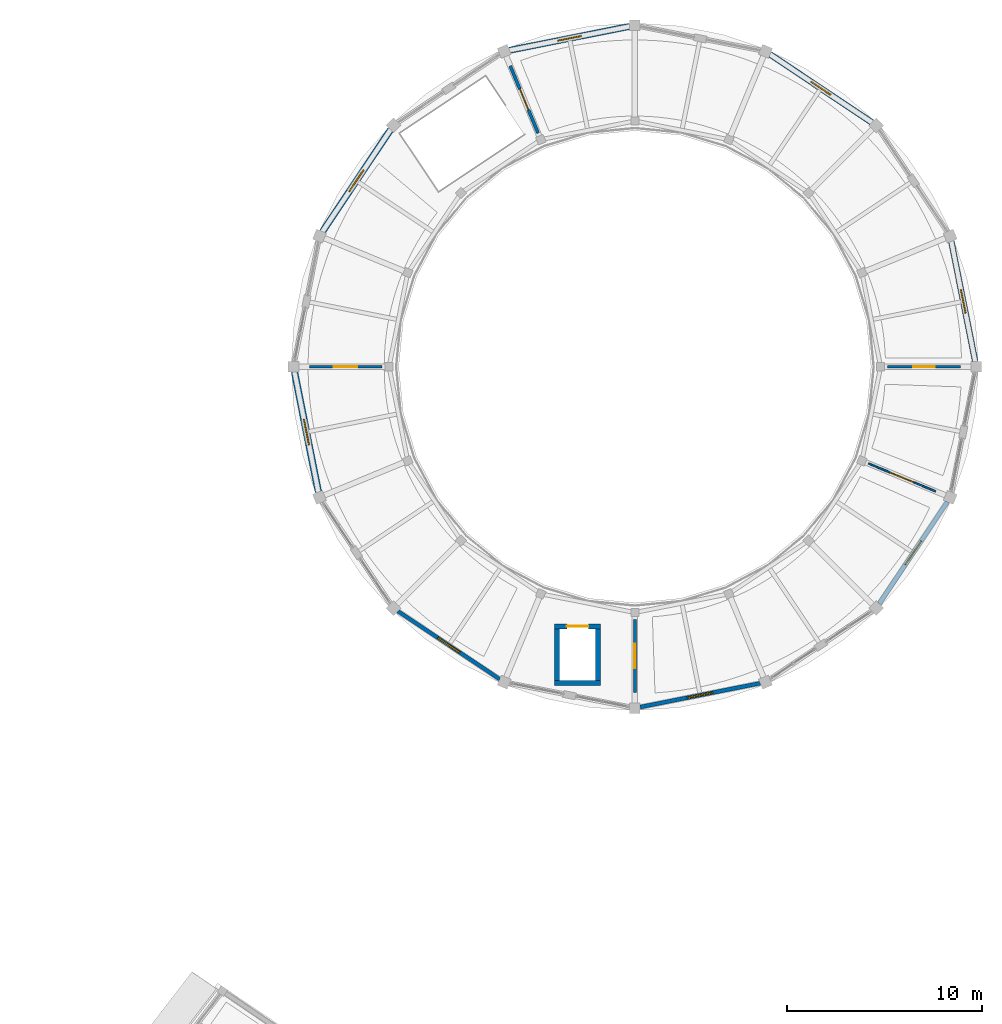
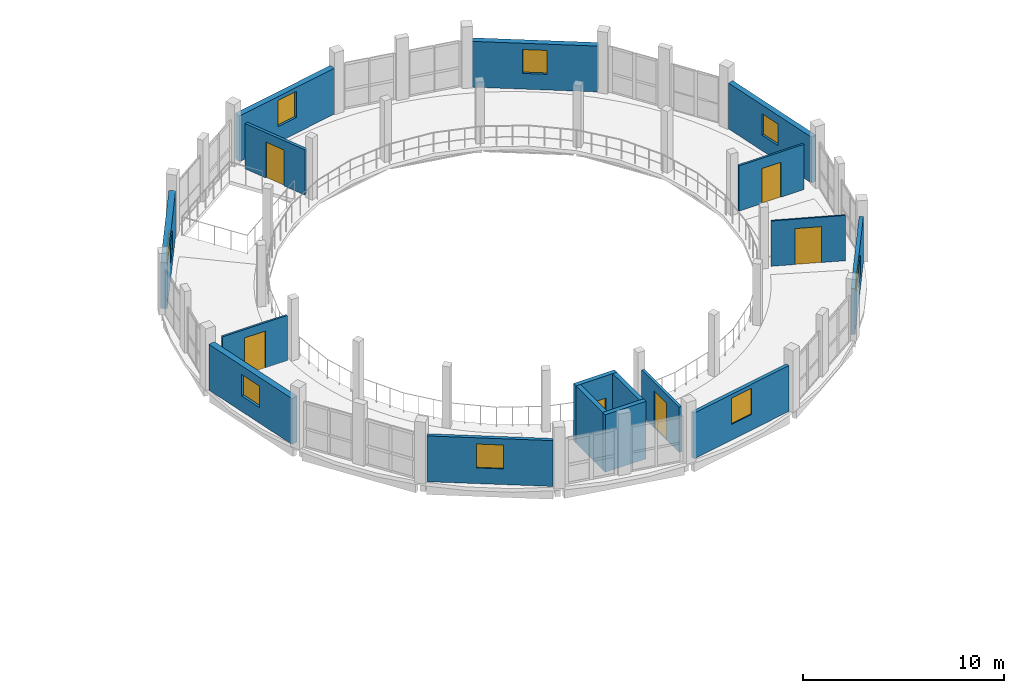
# One storey, part 63 of 77: 17 walls, 8 windows, 6 doors, 14 openings.
"""IFC4 building model written with IfcOpenShell, lengths in metres."""

from ifc_helpers import new_model, si_unit, direction, frame, frame_2d, origin, place, context, subcontext, project, spatial, rectangle, extrude, material, layer, layer_set, type_object, element, fill, save


model = new_model("IFC4")

# Units and contexts
model_context = context("Model", 3, precision=1e-05, world=origin(), true_north=direction((0.0, 1.0)))
body_context = subcontext(model_context, "Body", "Model", "MODEL_VIEW")
ifc_project = project(units=[si_unit("LENGTHUNIT", "METRE"), si_unit("AREAUNIT", "SQUARE_METRE"), si_unit("VOLUMEUNIT", "CUBIC_METRE"), si_unit("PLANEANGLEUNIT", "RADIAN"), si_unit("MASSUNIT", "GRAM", prefix="KILO")], contexts=[model_context])

# Site, building, storey
site_placement = place(None, origin())
site = spatial("IfcSite", under=ifc_project, at=site_placement, CompositionType="ELEMENT")
building_placement = place(site_placement, origin())
building = spatial("IfcBuilding", under=site, at=building_placement, Name="Caldaven Crescent School", CompositionType="ELEMENT")
storey_placement = place(building_placement, frame((0.0, 0.0, 4.419921875)))
storey = spatial("IfcBuildingStorey", under=building, at=storey_placement, Name="L01", CompositionType="ELEMENT", Elevation=4.419921875)

# Wall, opening, door
ifc_material_1 = material(Name="Concrete C35/45", Category="concrete")
ifc_layer_1 = layer(ifc_material_1, 0.300048828125)
ifc_layer_set_1 = layer_set([ifc_layer_1], Name="Concrete C35/45")
wall_type_1 = type_object("IfcWallType", Name="WAL-CW1", PredefinedType="SHEAR", material=ifc_layer_set_1)
wall_1_placement = place(storey_placement, frame((148.388916015625, 85.189208984375, 0.0), z_axis=(0.0, 0.0, 1.0), x_axis=(1.0, 0.0, 0.0)))
wall_1 = element("IfcWall", 1, at=wall_1_placement, inside=storey, type_object=wall_type_1, Name="CW-LF1-L01-N", PredefinedType="SHEAR", context=body_context, shape_type="SweptSolid", body=[
    extrude(rectangle(XDim=2.349853515625, YDim=0.25, at=frame_2d((1.1748046875, 0.0))), origin(), (0.0, 0.0, 1.0), 3.489990234375),
])
opening_1_placement = place(wall_1_placement, frame((0.625, 0.0, 0.0)))
opening_1 = element("IfcOpeningElement", 2, at=opening_1_placement, cuts=wall_1, Name="Opening LD-LF1-L01", PredefinedType="OPENING", context=body_context, shape_type="SweptSolid", body=[
    extrude(rectangle(XDim=1.10009765625, YDim=2.14990234375, at=frame_2d((0.550048828125, 1.074951171875))), frame((0.0, 0.135009765625, 0.0), z_axis=(0.0, -1.0, 0.0), x_axis=(1.0, 0.0, 0.0)), (0.0, 0.0, 1.0), 0.27001953125),
])
ifc_material_2 = material(Name="Brushed stainless-steel automatic telescopic landing door", Category="steel")
door_type_1 = type_object("IfcDoorType", Name="DOR-LD01", OperationType="DOUBLE_DOOR_SLIDING", PredefinedType="DOOR", material=ifc_material_2)
door_1_placement = place(opening_1_placement, origin())
door_1 = element("IfcDoor", 3, at=door_1_placement, inside=storey, type_object=door_type_1, Name="DOR-LD-LF1-L01", OperationType="DOUBLE_DOOR_SLIDING", OverallHeight=2.14990234375, OverallWidth=1.10009765625, PredefinedType="DOOR", context=body_context, shape_type="SweptSolid", body=[
    extrude(rectangle(XDim=1.10009765625, YDim=2.14990234375, at=frame_2d((0.550048828125, 1.074951171875))), frame((0.0, 0.02490234375, 0.0), z_axis=(0.0, -1.0, 0.0), x_axis=(1.0, 0.0, 0.0)), (0.0, 0.0, 1.0), 0.050048828125),
])
fill(opening_1, door_1)

# Walls
wall_2_placement = place(storey_placement, frame((148.388916015625, 82.2890625, 0.0), z_axis=(0.0, 0.0, 1.0), x_axis=(1.0, 0.0, 0.0)))
element("IfcWall", 4, at=wall_2_placement, inside=storey, type_object=wall_type_1, Name="CW-LF1-L01-S", PredefinedType="SHEAR", context=body_context, shape_type="SweptSolid", body=[
    extrude(rectangle(XDim=2.349853515625, YDim=0.25, at=frame_2d((1.1748046875, 0.0))), origin(), (0.0, 0.0, 1.0), 3.489990234375),
])
ifc_layer_2 = layer(ifc_material_1, 0.25)
ifc_layer_set_2 = layer_set([ifc_layer_2], Name="Concrete C35/45")
wall_type_2 = type_object("IfcWallType", Name="WAL-CW2", PredefinedType="SHEAR", material=ifc_layer_set_2)
for number, where, z_axis, x_axis, name in (
    (5, (148.513916015625, 82.4140625, 0.0), (0.0, 0.0, 1.0), (0.0, 1.0, 0.0), "CW-LF1-L01-W"),
    (6, (150.61376953125, 82.4140625, 0.0), (0.0, 0.0, 1.0), (0.0, 1.0, 0.0), "CW-LF1-L01-E"),
):
    element("IfcWall", number, at=place(storey_placement, frame(where, z_axis=z_axis, x_axis=x_axis)), inside=storey, type_object=wall_type_2, Name=name, PredefinedType="SHEAR", context=body_context, shape_type="SweptSolid", body=[
        extrude(rectangle(XDim=2.650146484375, YDim=0.25, at=frame_2d((1.3251953125, 0.0))), origin(), (0.0, 0.0, 1.0), 3.489990234375),
    ])

# Wall, opening, window
ifc_material_3 = material(Name="Precast concrete C35/45", Category="concrete")
ifc_layer_3 = layer(ifc_material_3, 0.19189453125)
ifc_layer_set_3 = layer_set([ifc_layer_3], Name="Precast concrete C35/45")
wall_type_3 = type_object("IfcWallType", Name="WAL-EW01", PredefinedType="STANDARD", material=ifc_layer_set_3)
wall_3_placement = place(storey_placement, frame((140.356689453125, 85.97119140625, 0.0), z_axis=(0.0, 0.0, 1.0), x_axis=(0.831468962917, -0.555571204893, 0.0)))
wall_3 = element("IfcWall", 7, at=wall_3_placement, inside=storey, type_object=wall_type_3, Name="EW-L01-014", PredefinedType="STANDARD", context=body_context, shape_type="SweptSolid", body=[
    extrude(rectangle(XDim=6.272216796875, YDim=0.19189453125, at=frame_2d((3.13623046875, 0.0))), origin(), (0.0, 0.0, 1.0), 2.780029296875),
])
opening_2_placement = place(wall_3_placement, frame((2.466064453125, 0.0, 0.949951171875)))
opening_2 = element("IfcOpeningElement", 8, at=opening_2_placement, cuts=wall_3, Name="Opening W11", PredefinedType="OPENING", context=body_context, shape_type="SweptSolid", body=[
    extrude(rectangle(XDim=1.340087890625, YDim=1.449951171875, at=frame_2d((0.669921875, 0.72509765625))), frame((0.0, 0.10595703125, 0.0), z_axis=(0.0, -1.0, 0.0), x_axis=(1.0, 0.0, 0.0)), (0.0, 0.0, 1.0), 0.2119140625),
])
ifc_material_4 = material(Name="Thermally broken anodised aluminium AA 6063-T6 and low-E double glazing", Category="aluminium")
window_type_1 = type_object("IfcWindowType", Name="WIN-W11", PartitioningType="SINGLE_PANEL", PredefinedType="WINDOW", material=ifc_material_4)
window_1_placement = place(opening_2_placement, origin())
window_1 = element("IfcWindow", 9, at=window_1_placement, inside=storey, type_object=window_type_1, Name="WIN-L01-010-1", OverallHeight=1.449951171875, OverallWidth=1.340087890625, PartitioningType="SINGLE_PANEL", PredefinedType="WINDOW", context=body_context, shape_type="SweptSolid", body=[
    extrude(rectangle(XDim=1.340087890625, YDim=1.449951171875, at=frame_2d((0.669921875, 0.72509765625))), frame((0.0, 0.030029296875, 0.0), z_axis=(0.0, -1.0, 0.0), x_axis=(1.0, 0.0, 0.0)), (0.0, 0.0, 1.0), 0.06005859375),
])
fill(opening_2, window_1)

ifc_layer_4 = layer(ifc_material_3, 0.2041015625)
ifc_layer_set_4 = layer_set([ifc_layer_4], Name="Precast concrete C35/45")
wall_type_4 = type_object("IfcWallType", Name="WAL-EW02", PredefinedType="STANDARD", material=ifc_layer_set_4)
wall_4_placement = place(storey_placement, frame((152.772705078125, 81.05419921875, 0.0), z_axis=(0.0, 0.0, 1.0), x_axis=(0.980785242574, 0.195090512195, 0.0)))
wall_4 = element("IfcWall", 10, at=wall_4_placement, inside=storey, type_object=wall_type_4, Name="EW-L01-015", PredefinedType="STANDARD", context=body_context, shape_type="SweptSolid", body=[
    extrude(rectangle(XDim=6.272216796875, YDim=0.2041015625, at=frame_2d((3.13623046875, 0.0))), origin(), (0.0, 0.0, 1.0), 2.780029296875),
])
opening_3_placement = place(wall_4_placement, frame((2.466064453125, 0.0, 0.949951171875)))
opening_3 = element("IfcOpeningElement", 11, at=opening_3_placement, cuts=wall_4, Name="Opening W12", PredefinedType="OPENING", context=body_context, shape_type="SweptSolid", body=[
    extrude(rectangle(XDim=1.340087890625, YDim=1.60009765625, at=frame_2d((0.669921875, 0.800048828125))), frame((0.0, 0.112060546875, 0.0), z_axis=(0.0, -1.0, 0.0), x_axis=(1.0, 0.0, 0.0)), (0.0, 0.0, 1.0), 0.22412109375),
])
window_type_2 = type_object("IfcWindowType", Name="WIN-W12", PartitioningType="SINGLE_PANEL", PredefinedType="WINDOW", material=ifc_material_4)
window_2_placement = place(opening_3_placement, origin())
window_2 = element("IfcWindow", 12, at=window_2_placement, inside=storey, type_object=window_type_2, Name="WIN-L01-011-1", OverallHeight=1.60009765625, OverallWidth=1.340087890625, PartitioningType="SINGLE_PANEL", PredefinedType="WINDOW", context=body_context, shape_type="SweptSolid", body=[
    extrude(rectangle(XDim=1.340087890625, YDim=1.60009765625, at=frame_2d((0.669921875, 0.800048828125))), frame((0.0, 0.030029296875, 0.0), z_axis=(0.0, -1.0, 0.0), x_axis=(1.0, 0.0, 0.0)), (0.0, 0.0, 1.0), 0.06005859375),
])
fill(opening_3, window_2)

ifc_layer_5 = layer(ifc_material_3, 0.216064453125)
ifc_layer_set_5 = layer_set([ifc_layer_5], Name="Precast concrete C35/45")
wall_type_5 = type_object("IfcWallType", Name="WAL-EW03", PredefinedType="STANDARD", material=ifc_layer_set_5)
wall_5_placement = place(storey_placement, frame((165.02880859375, 86.356689453125, 0.0), z_axis=(0.0, 0.0, 1.0), x_axis=(0.555571204893, 0.831468962917, 0.0)))
wall_5 = element("IfcWall", 13, at=wall_5_placement, inside=storey, type_object=wall_type_5, Name="EW-L01-016", PredefinedType="STANDARD", context=body_context, shape_type="SweptSolid", body=[
    extrude(rectangle(XDim=6.272216796875, YDim=0.216064453125, at=frame_2d((3.13623046875, 0.0))), origin(), (0.0, 0.0, 1.0), 2.780029296875),
])
opening_4_placement = place(wall_5_placement, frame((2.406005859375, 0.0, 0.949951171875)))
opening_4 = element("IfcOpeningElement", 14, at=opening_4_placement, cuts=wall_5, Name="Opening W13", PredefinedType="OPENING", context=body_context, shape_type="SweptSolid", body=[
    extrude(rectangle(XDim=1.4599609375, YDim=1.14990234375, at=frame_2d((0.72998046875, 0.574951171875))), frame((0.0, 0.117919921875, 0.0), z_axis=(0.0, -1.0, 0.0), x_axis=(1.0, 0.0, 0.0)), (0.0, 0.0, 1.0), 0.236083984375),
])
window_type_3 = type_object("IfcWindowType", Name="WIN-W13", PartitioningType="SINGLE_PANEL", PredefinedType="WINDOW", material=ifc_material_4)
window_3_placement = place(opening_4_placement, origin())
window_3 = element("IfcWindow", 15, at=window_3_placement, inside=storey, type_object=window_type_3, Name="WIN-L01-012-1", OverallHeight=1.14990234375, OverallWidth=1.4599609375, PartitioningType="SINGLE_PANEL", PredefinedType="WINDOW", context=body_context, shape_type="SweptSolid", body=[
    extrude(rectangle(XDim=1.4599609375, YDim=1.14990234375, at=frame_2d((0.72998046875, 0.574951171875))), frame((0.0, 0.030029296875, 0.0), z_axis=(0.0, -1.0, 0.0), x_axis=(1.0, 0.0, 0.0)), (0.0, 0.0, 1.0), 0.06005859375),
])
fill(opening_4, window_3)

ifc_layer_6 = layer(ifc_material_3, 0.300048828125)
ifc_layer_set_6 = layer_set([ifc_layer_6], Name="Precast concrete C35/45")
wall_type_6 = type_object("IfcWallType", Name="WAL-EW10", PredefinedType="STANDARD", material=ifc_layer_set_6)
wall_6_placement = place(storey_placement, frame((169.94580078125, 98.772705078125, 0.0), z_axis=(0.0, 0.0, 1.0), x_axis=(-0.195090512195, 0.980785242574, 0.0)))
wall_6 = element("IfcWall", 16, at=wall_6_placement, inside=storey, type_object=wall_type_6, Name="EW-L01-009", PredefinedType="STANDARD", context=body_context, shape_type="SweptSolid", body=[
    extrude(rectangle(XDim=6.272216796875, YDim=0.300048828125, at=frame_2d((3.13623046875, 0.0))), origin(), (0.0, 0.0, 1.0), 2.780029296875),
])
opening_5_placement = place(wall_6_placement, frame((2.526123046875, 0.0, 0.949951171875)))
opening_5 = element("IfcOpeningElement", 17, at=opening_5_placement, cuts=wall_6, Name="Opening W06", PredefinedType="OPENING", context=body_context, shape_type="SweptSolid", body=[
    extrude(rectangle(XDim=1.219970703125, YDim=1.300048828125, at=frame_2d((0.60986328125, 0.64990234375))), frame((0.0, 0.159912109375, 0.0), z_axis=(0.0, -1.0, 0.0), x_axis=(1.0, 0.0, 0.0)), (0.0, 0.0, 1.0), 0.320068359375),
])
window_type_4 = type_object("IfcWindowType", Name="WIN-W06", PartitioningType="SINGLE_PANEL", PredefinedType="WINDOW", material=ifc_material_4)
window_4_placement = place(opening_5_placement, origin())
window_4 = element("IfcWindow", 18, at=window_4_placement, inside=storey, type_object=window_type_4, Name="WIN-L01-005-1", OverallHeight=1.300048828125, OverallWidth=1.219970703125, PartitioningType="SINGLE_PANEL", PredefinedType="WINDOW", context=body_context, shape_type="SweptSolid", body=[
    extrude(rectangle(XDim=1.219970703125, YDim=1.300048828125, at=frame_2d((0.60986328125, 0.64990234375))), frame((0.0, 0.030029296875, 0.0), z_axis=(0.0, -1.0, 0.0), x_axis=(1.0, 0.0, 0.0)), (0.0, 0.0, 1.0), 0.06005859375),
])
fill(opening_5, window_4)

ifc_layer_7 = layer(ifc_material_3, 0.31201171875)
ifc_layer_set_7 = layer_set([ifc_layer_7], Name="Precast concrete C35/45")
wall_type_7 = type_object("IfcWallType", Name="WAL-EW11", PredefinedType="STANDARD", material=ifc_layer_set_7)
wall_7_placement = place(storey_placement, frame((164.643310546875, 111.02880859375, 0.0), z_axis=(0.0, 0.0, 1.0), x_axis=(-0.831468962917, 0.555571204893, 0.0)))
wall_7 = element("IfcWall", 19, at=wall_7_placement, inside=storey, type_object=wall_type_7, Name="EW-L01-010", PredefinedType="STANDARD", context=body_context, shape_type="SweptSolid", body=[
    extrude(rectangle(XDim=6.272216796875, YDim=0.31201171875, at=frame_2d((3.13623046875, 0.0))), origin(), (0.0, 0.0, 1.0), 2.780029296875),
])
opening_6_placement = place(wall_7_placement, frame((2.526123046875, 0.0, 0.949951171875)))
opening_6 = element("IfcOpeningElement", 20, at=opening_6_placement, cuts=wall_7, Name="Opening W07", PredefinedType="OPENING", context=body_context, shape_type="SweptSolid", body=[
    extrude(rectangle(XDim=1.219970703125, YDim=1.449951171875, at=frame_2d((0.60986328125, 0.72509765625))), frame((0.0, 0.166015625, 0.0), z_axis=(0.0, -1.0, 0.0), x_axis=(1.0, 0.0, 0.0)), (0.0, 0.0, 1.0), 0.33203125),
])
window_type_5 = type_object("IfcWindowType", Name="WIN-W07", PartitioningType="SINGLE_PANEL", PredefinedType="WINDOW", material=ifc_material_4)
window_5_placement = place(opening_6_placement, origin())
window_5 = element("IfcWindow", 21, at=window_5_placement, inside=storey, type_object=window_type_5, Name="WIN-L01-006-1", OverallHeight=1.449951171875, OverallWidth=1.219970703125, PartitioningType="SINGLE_PANEL", PredefinedType="WINDOW", context=body_context, shape_type="SweptSolid", body=[
    extrude(rectangle(XDim=1.219970703125, YDim=1.449951171875, at=frame_2d((0.60986328125, 0.72509765625))), frame((0.0, 0.030029296875, 0.0), z_axis=(0.0, -1.0, 0.0), x_axis=(1.0, 0.0, 0.0)), (0.0, 0.0, 1.0), 0.06005859375),
])
fill(opening_6, window_5)

ifc_layer_8 = layer(ifc_material_3, 0.323974609375)
ifc_layer_set_8 = layer_set([ifc_layer_8], Name="Precast concrete C35/45")
wall_type_8 = type_object("IfcWallType", Name="WAL-EW12", PredefinedType="STANDARD", material=ifc_layer_set_8)
wall_8_placement = place(storey_placement, frame((152.227294921875, 115.94580078125, 0.0), z_axis=(0.0, 0.0, 1.0), x_axis=(-0.980785242574, -0.195090512195, 0.0)))
wall_8 = element("IfcWall", 22, at=wall_8_placement, inside=storey, type_object=wall_type_8, Name="EW-L01-011", PredefinedType="STANDARD", context=body_context, shape_type="SweptSolid", body=[
    extrude(rectangle(XDim=6.272216796875, YDim=0.323974609375, at=frame_2d((3.13623046875, 0.0))), origin(), (0.0, 0.0, 1.0), 2.780029296875),
])
opening_7_placement = place(wall_8_placement, frame((2.526123046875, 0.0, 0.949951171875)))
opening_7 = element("IfcOpeningElement", 23, at=opening_7_placement, cuts=wall_8, Name="Opening W08", PredefinedType="OPENING", context=body_context, shape_type="SweptSolid", body=[
    extrude(rectangle(XDim=1.219970703125, YDim=1.60009765625, at=frame_2d((0.60986328125, 0.800048828125))), frame((0.0, 0.171875, 0.0), z_axis=(0.0, -1.0, 0.0), x_axis=(1.0, 0.0, 0.0)), (0.0, 0.0, 1.0), 0.343994140625),
])
window_type_6 = type_object("IfcWindowType", Name="WIN-W08", PartitioningType="SINGLE_PANEL", PredefinedType="WINDOW", material=ifc_material_4)
window_6_placement = place(opening_7_placement, origin())
window_6 = element("IfcWindow", 24, at=window_6_placement, inside=storey, type_object=window_type_6, Name="WIN-L01-007-1", OverallHeight=1.60009765625, OverallWidth=1.219970703125, PartitioningType="SINGLE_PANEL", PredefinedType="WINDOW", context=body_context, shape_type="SweptSolid", body=[
    extrude(rectangle(XDim=1.219970703125, YDim=1.60009765625, at=frame_2d((0.60986328125, 0.800048828125))), frame((0.0, 0.030029296875, 0.0), z_axis=(0.0, -1.0, 0.0), x_axis=(1.0, 0.0, 0.0)), (0.0, 0.0, 1.0), 0.06005859375),
])
fill(opening_7, window_6)

ifc_layer_9 = layer(ifc_material_3, 0.3359375)
ifc_layer_set_9 = layer_set([ifc_layer_9], Name="Precast concrete C35/45")
wall_type_9 = type_object("IfcWallType", Name="WAL-EW13", PredefinedType="STANDARD", material=ifc_layer_set_9)
wall_9_placement = place(storey_placement, frame((139.97119140625, 110.643310546875, 0.0), z_axis=(0.0, 0.0, 1.0), x_axis=(-0.555571204893, -0.831468962917, 0.0)))
wall_9 = element("IfcWall", 25, at=wall_9_placement, inside=storey, type_object=wall_type_9, Name="EW-L01-012", PredefinedType="STANDARD", context=body_context, shape_type="SweptSolid", body=[
    extrude(rectangle(XDim=6.272216796875, YDim=0.3359375, at=frame_2d((3.13623046875, 0.0))), origin(), (0.0, 0.0, 1.0), 2.780029296875),
])
opening_8_placement = place(wall_9_placement, frame((2.466064453125, 0.0, 0.949951171875)))
opening_8 = element("IfcOpeningElement", 26, at=opening_8_placement, cuts=wall_9, Name="Opening W09", PredefinedType="OPENING", context=body_context, shape_type="SweptSolid", body=[
    extrude(rectangle(XDim=1.340087890625, YDim=1.14990234375, at=frame_2d((0.669921875, 0.574951171875))), frame((0.0, 0.177978515625, 0.0), z_axis=(0.0, -1.0, 0.0), x_axis=(1.0, 0.0, 0.0)), (0.0, 0.0, 1.0), 0.35595703125),
])
window_type_7 = type_object("IfcWindowType", Name="WIN-W09", PartitioningType="SINGLE_PANEL", PredefinedType="WINDOW", material=ifc_material_4)
window_7_placement = place(opening_8_placement, origin())
window_7 = element("IfcWindow", 27, at=window_7_placement, inside=storey, type_object=window_type_7, Name="WIN-L01-008-1", OverallHeight=1.14990234375, OverallWidth=1.340087890625, PartitioningType="SINGLE_PANEL", PredefinedType="WINDOW", context=body_context, shape_type="SweptSolid", body=[
    extrude(rectangle(XDim=1.340087890625, YDim=1.14990234375, at=frame_2d((0.669921875, 0.574951171875))), frame((0.0, 0.030029296875, 0.0), z_axis=(0.0, -1.0, 0.0), x_axis=(1.0, 0.0, 0.0)), (0.0, 0.0, 1.0), 0.06005859375),
])
fill(opening_8, window_7)

ifc_layer_10 = layer(ifc_material_3, 0.347900390625)
ifc_layer_set_10 = layer_set([ifc_layer_10], Name="Precast concrete C35/45")
wall_type_10 = type_object("IfcWallType", Name="WAL-EW14", PredefinedType="STANDARD", material=ifc_layer_set_10)
wall_10_placement = place(storey_placement, frame((135.05419921875, 98.227294921875, 0.0), z_axis=(0.0, 0.0, 1.0), x_axis=(0.195090512195, -0.980785242574, 0.0)))
wall_10 = element("IfcWall", 28, at=wall_10_placement, inside=storey, type_object=wall_type_10, Name="EW-L01-013", PredefinedType="STANDARD", context=body_context, shape_type="SweptSolid", body=[
    extrude(rectangle(XDim=6.272216796875, YDim=0.347900390625, at=frame_2d((3.13623046875, 0.0))), origin(), (0.0, 0.0, 1.0), 2.780029296875),
])
opening_9_placement = place(wall_10_placement, frame((2.466064453125, 0.0, 0.949951171875)))
opening_9 = element("IfcOpeningElement", 29, at=opening_9_placement, cuts=wall_10, Name="Opening W10", PredefinedType="OPENING", context=body_context, shape_type="SweptSolid", body=[
    extrude(rectangle(XDim=1.340087890625, YDim=1.300048828125, at=frame_2d((0.669921875, 0.64990234375))), frame((0.0, 0.183837890625, 0.0), z_axis=(0.0, -1.0, 0.0), x_axis=(1.0, 0.0, 0.0)), (0.0, 0.0, 1.0), 0.367919921875),
])
window_type_8 = type_object("IfcWindowType", Name="WIN-W10", PartitioningType="SINGLE_PANEL", PredefinedType="WINDOW", material=ifc_material_4)
window_8_placement = place(opening_9_placement, origin())
window_8 = element("IfcWindow", 30, at=window_8_placement, inside=storey, type_object=window_type_8, Name="WIN-L01-009-1", OverallHeight=1.300048828125, OverallWidth=1.340087890625, PartitioningType="SINGLE_PANEL", PredefinedType="WINDOW", context=body_context, shape_type="SweptSolid", body=[
    extrude(rectangle(XDim=1.340087890625, YDim=1.300048828125, at=frame_2d((0.669921875, 0.64990234375))), frame((0.0, 0.030029296875, 0.0), z_axis=(0.0, -1.0, 0.0), x_axis=(1.0, 0.0, 0.0)), (0.0, 0.0, 1.0), 0.06005859375),
])
fill(opening_9, window_8)

# Wall, opening, door
ifc_material_5 = material(Name="Acoustic double-layer gypsum partition on galvanised steel studs", Category="steel")
ifc_layer_11 = layer(ifc_material_5, 0.0859375)
ifc_layer_set_11 = layer_set([ifc_layer_11], Name="Acoustic double-layer gypsum partition on galvanised steel studs")
wall_type_11 = type_object("IfcWallType", Name="WAL-PT01", PredefinedType="PARTITIONING", material=ifc_layer_set_11)
wall_11_placement = place(storey_placement, frame((164.473388671875, 93.54052734375, 0.0), z_axis=(0.0, 0.0, 1.0), x_axis=(0.923870841209, -0.38270441435, 0.0)))
wall_11 = element("IfcWall", 31, at=wall_11_placement, inside=storey, type_object=wall_type_11, Name="IW-L01-0032", PredefinedType="PARTITIONING", context=body_context, shape_type="SweptSolid", body=[
    extrude(rectangle(XDim=3.72998046875, YDim=0.0859375, at=frame_2d((1.864990234375, 0.0))), origin(), (0.0, 0.0, 1.0), 2.75),
])
opening_10_placement = place(wall_11_placement, frame((1.205078125, 0.0, 0.0)))
opening_10 = element("IfcOpeningElement", 32, at=opening_10_placement, cuts=wall_11, Name="Opening D-L01-I022", PredefinedType="OPENING", context=body_context, shape_type="SweptSolid", body=[
    extrude(rectangle(XDim=1.320068359375, YDim=2.179931640625, at=frame_2d((0.66015625, 1.08984375))), frame((0.0, 0.052978515625, 0.0), z_axis=(0.0, -1.0, 0.0), x_axis=(1.0, 0.0, 0.0)), (0.0, 0.0, 1.0), 0.10595703125),
])
ifc_material_6 = material(Name="Solid-core Pino Radiata acoustic timber leaf in steel frame", Category="steel")
door_type_2 = type_object("IfcDoorType", Name="DOR-ID43", OperationType="NOTDEFINED", PredefinedType="DOOR", material=ifc_material_6)
door_2_placement = place(opening_10_placement, origin())
door_2 = element("IfcDoor", 33, at=door_2_placement, inside=storey, type_object=door_type_2, Name="DOR-INT-L01-0022", OperationType="SINGLE_SWING_LEFT", OverallHeight=2.179931640625, OverallWidth=1.320068359375, PredefinedType="DOOR", context=body_context, shape_type="SweptSolid", body=[
    extrude(rectangle(XDim=1.320068359375, YDim=2.179931640625, at=frame_2d((0.66015625, 1.08984375))), frame((0.0, 0.02490234375, 0.0), z_axis=(0.0, -1.0, 0.0), x_axis=(1.0, 0.0, 0.0)), (0.0, 0.0, 1.0), 0.050048828125),
])
fill(opening_10, door_2)

ifc_layer_12 = layer(ifc_material_5, 0.110107421875)
ifc_layer_set_12 = layer_set([ifc_layer_12], Name="Acoustic double-layer gypsum partition on galvanised steel studs")
wall_type_12 = type_object("IfcWallType", Name="WAL-PT05", PredefinedType="PARTITIONING", material=ifc_layer_set_12)
wall_12_placement = place(storey_placement, frame((139.5400390625, 98.5, 0.0), z_axis=(0.0, 0.0, 1.0), x_axis=(-1.0, 0.0, 0.0)))
wall_12 = element("IfcWall", 34, at=wall_12_placement, inside=storey, type_object=wall_type_12, Name="IW-L01-0020", PredefinedType="PARTITIONING", context=body_context, shape_type="SweptSolid", body=[
    extrude(rectangle(XDim=3.72998046875, YDim=0.110107421875, at=frame_2d((1.864990234375, 0.0))), origin(), (0.0, 0.0, 1.0), 2.75),
])
opening_11_placement = place(wall_12_placement, frame((1.264892578125, 0.0, 0.0)))
opening_11 = element("IfcOpeningElement", 35, at=opening_11_placement, cuts=wall_12, Name="Opening D-L01-I015", PredefinedType="OPENING", context=body_context, shape_type="SweptSolid", body=[
    extrude(rectangle(XDim=1.199951171875, YDim=2.239990234375, at=frame_2d((0.60009765625, 1.1201171875))), frame((0.0, 0.06494140625, 0.0), z_axis=(0.0, -1.0, 0.0), x_axis=(1.0, 0.0, 0.0)), (0.0, 0.0, 1.0), 0.130126953125),
])
door_type_3 = type_object("IfcDoorType", Name="DOR-ID36", OperationType="NOTDEFINED", PredefinedType="DOOR", material=ifc_material_6)
door_3_placement = place(opening_11_placement, frame((1.199951171875, 0.0, 0.0), z_axis=(0.0, 0.0, 1.0), x_axis=(-1.0, 0.0, 0.0)))
door_3 = element("IfcDoor", 36, at=door_3_placement, inside=storey, type_object=door_type_3, Name="DOR-INT-L01-0015", OperationType="SINGLE_SWING_RIGHT", OverallHeight=2.239990234375, OverallWidth=1.199951171875, PredefinedType="DOOR", context=body_context, shape_type="SweptSolid", body=[
    extrude(rectangle(XDim=1.199951171875, YDim=2.239990234375, at=frame_2d((0.60009765625, 1.1201171875))), frame((0.0, 0.02490234375, 0.0), z_axis=(0.0, -1.0, 0.0), x_axis=(1.0, 0.0, 0.0)), (0.0, 0.0, 1.0), 0.050048828125),
])
fill(opening_11, door_3)

ifc_layer_13 = layer(ifc_material_5, 0.115966796875)
ifc_layer_set_13 = layer_set([ifc_layer_13], Name="Acoustic double-layer gypsum partition on galvanised steel studs")
wall_type_13 = type_object("IfcWallType", Name="WAL-PT06", PredefinedType="PARTITIONING", material=ifc_layer_set_13)
wall_13_placement = place(storey_placement, frame((165.4599609375, 98.5, 0.0), z_axis=(0.0, 0.0, 1.0), x_axis=(1.0, 0.0, 0.0)))
wall_13 = element("IfcWall", 37, at=wall_13_placement, inside=storey, type_object=wall_type_13, Name="IW-L01-0005", PredefinedType="PARTITIONING", context=body_context, shape_type="SweptSolid", body=[
    extrude(rectangle(XDim=3.72998046875, YDim=0.115966796875, at=frame_2d((1.864990234375, 0.0))), origin(), (0.0, 0.0, 1.0), 2.75),
])
opening_12_placement = place(wall_13_placement, frame((1.31494140625, 0.0, 0.0)))
opening_12 = element("IfcOpeningElement", 38, at=opening_12_placement, cuts=wall_13, Name="Opening D-L01-I005", PredefinedType="OPENING", context=body_context, shape_type="SweptSolid", body=[
    extrude(rectangle(XDim=1.10009765625, YDim=2.1201171875, at=frame_2d((0.550048828125, 1.06005859375))), frame((0.0, 0.06787109375, 0.0), z_axis=(0.0, -1.0, 0.0), x_axis=(1.0, 0.0, 0.0)), (0.0, 0.0, 1.0), 0.135986328125),
])
door_type_4 = type_object("IfcDoorType", Name="DOR-ID26", OperationType="NOTDEFINED", PredefinedType="DOOR", material=ifc_material_6)
door_4_placement = place(opening_12_placement, frame((1.10009765625, 0.0, 0.0), z_axis=(0.0, 0.0, 1.0), x_axis=(-1.0, 0.0, 0.0)))
door_4 = element("IfcDoor", 39, at=door_4_placement, inside=storey, type_object=door_type_4, Name="DOR-INT-L01-0005", OperationType="SINGLE_SWING_RIGHT", OverallHeight=2.1201171875, OverallWidth=1.10009765625, PredefinedType="DOOR", context=body_context, shape_type="SweptSolid", body=[
    extrude(rectangle(XDim=1.10009765625, YDim=2.1201171875, at=frame_2d((0.550048828125, 1.06005859375))), frame((0.0, 0.02490234375, 0.0), z_axis=(0.0, -1.0, 0.0), x_axis=(1.0, 0.0, 0.0)), (0.0, 0.0, 1.0), 0.050048828125),
])
fill(opening_12, door_4)

ifc_layer_14 = layer(ifc_material_5, 0.152099609375)
ifc_layer_set_14 = layer_set([ifc_layer_14], Name="Acoustic double-layer gypsum partition on galvanised steel studs")
wall_type_14 = type_object("IfcWallType", Name="WAL-PT12", PredefinedType="PARTITIONING", material=ifc_layer_set_14)
wall_14_placement = place(storey_placement, frame((152.5, 85.5400390625, 0.0), z_axis=(0.0, 0.0, 1.0), x_axis=(0.0, -1.0, 0.0)))
wall_14 = element("IfcWall", 40, at=wall_14_placement, inside=storey, type_object=wall_type_14, Name="IW-L01-0027", PredefinedType="PARTITIONING", context=body_context, shape_type="SweptSolid", body=[
    extrude(rectangle(XDim=3.72998046875, YDim=0.152099609375, at=frame_2d((1.864990234375, 0.0))), origin(), (0.0, 0.0, 1.0), 2.75),
])
opening_13_placement = place(wall_14_placement, frame((1.235107421875, 0.0, 0.0)))
opening_13 = element("IfcOpeningElement", 41, at=opening_13_placement, cuts=wall_14, Name="Opening D-L01-I019", PredefinedType="OPENING", context=body_context, shape_type="SweptSolid", body=[
    extrude(rectangle(XDim=1.260009765625, YDim=2.239990234375, at=frame_2d((0.6298828125, 1.1201171875))), frame((0.0, 0.0859375, 0.0), z_axis=(0.0, -1.0, 0.0), x_axis=(1.0, 0.0, 0.0)), (0.0, 0.0, 1.0), 0.172119140625),
])
door_type_5 = type_object("IfcDoorType", Name="DOR-ID40", OperationType="NOTDEFINED", PredefinedType="DOOR", material=ifc_material_6)
door_5_placement = place(opening_13_placement, frame((1.260009765625, 0.0, 0.0), z_axis=(0.0, 0.0, 1.0), x_axis=(-1.0, 0.0, 0.0)))
door_5 = element("IfcDoor", 42, at=door_5_placement, inside=storey, type_object=door_type_5, Name="DOR-INT-L01-0019", OperationType="SINGLE_SWING_RIGHT", OverallHeight=2.239990234375, OverallWidth=1.260009765625, PredefinedType="DOOR", context=body_context, shape_type="SweptSolid", body=[
    extrude(rectangle(XDim=1.260009765625, YDim=2.239990234375, at=frame_2d((0.6298828125, 1.1201171875))), frame((0.0, 0.02490234375, 0.0), z_axis=(0.0, -1.0, 0.0), x_axis=(1.0, 0.0, 0.0)), (0.0, 0.0, 1.0), 0.050048828125),
])
fill(opening_13, door_5)

ifc_layer_15 = layer(ifc_material_5, 0.1640625)
ifc_layer_set_15 = layer_set([ifc_layer_15], Name="Acoustic double-layer gypsum partition on galvanised steel studs")
wall_type_15 = type_object("IfcWallType", Name="WAL-PT14", PredefinedType="PARTITIONING", material=ifc_layer_set_15)
wall_15_placement = place(storey_placement, frame((147.54052734375, 110.473388671875, 0.0), z_axis=(0.0, 0.0, 1.0), x_axis=(-0.38270441435, 0.923870841209, 0.0)))
wall_15 = element("IfcWall", 43, at=wall_15_placement, inside=storey, type_object=wall_type_15, Name="IW-L01-0013", PredefinedType="PARTITIONING", context=body_context, shape_type="SweptSolid", body=[
    extrude(rectangle(XDim=3.72998046875, YDim=0.1640625, at=frame_2d((1.864990234375, 0.0))), origin(), (0.0, 0.0, 1.0), 2.75),
])
opening_14_placement = place(wall_15_placement, frame((1.2900390625, 0.0, 0.0)))
opening_14 = element("IfcOpeningElement", 44, at=opening_14_placement, cuts=wall_15, Name="Opening D-L01-I010", PredefinedType="OPENING", context=body_context, shape_type="SweptSolid", body=[
    extrude(rectangle(XDim=1.14990234375, YDim=2.179931640625, at=frame_2d((0.574951171875, 1.08984375))), frame((0.0, 0.092041015625, 0.0), z_axis=(0.0, -1.0, 0.0), x_axis=(1.0, 0.0, 0.0)), (0.0, 0.0, 1.0), 0.18408203125),
])
door_type_6 = type_object("IfcDoorType", Name="DOR-ID31", OperationType="NOTDEFINED", PredefinedType="DOOR", material=ifc_material_6)
door_6_placement = place(opening_14_placement, origin())
door_6 = element("IfcDoor", 45, at=door_6_placement, inside=storey, type_object=door_type_6, Name="DOR-INT-L01-0010", OperationType="SINGLE_SWING_LEFT", OverallHeight=2.179931640625, OverallWidth=1.14990234375, PredefinedType="DOOR", context=body_context, shape_type="SweptSolid", body=[
    extrude(rectangle(XDim=1.14990234375, YDim=2.179931640625, at=frame_2d((0.574951171875, 1.08984375))), frame((0.0, 0.02490234375, 0.0), z_axis=(0.0, -1.0, 0.0), x_axis=(1.0, 0.0, 0.0)), (0.0, 0.0, 1.0), 0.050048828125),
])
fill(opening_14, door_6)

save(model, "model.ifc")
